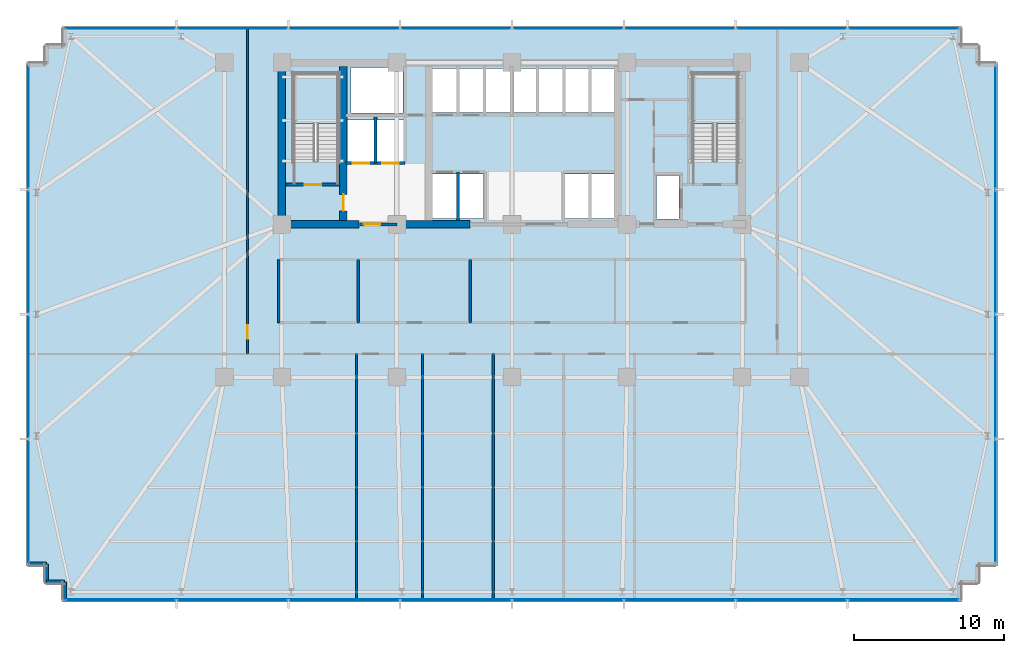
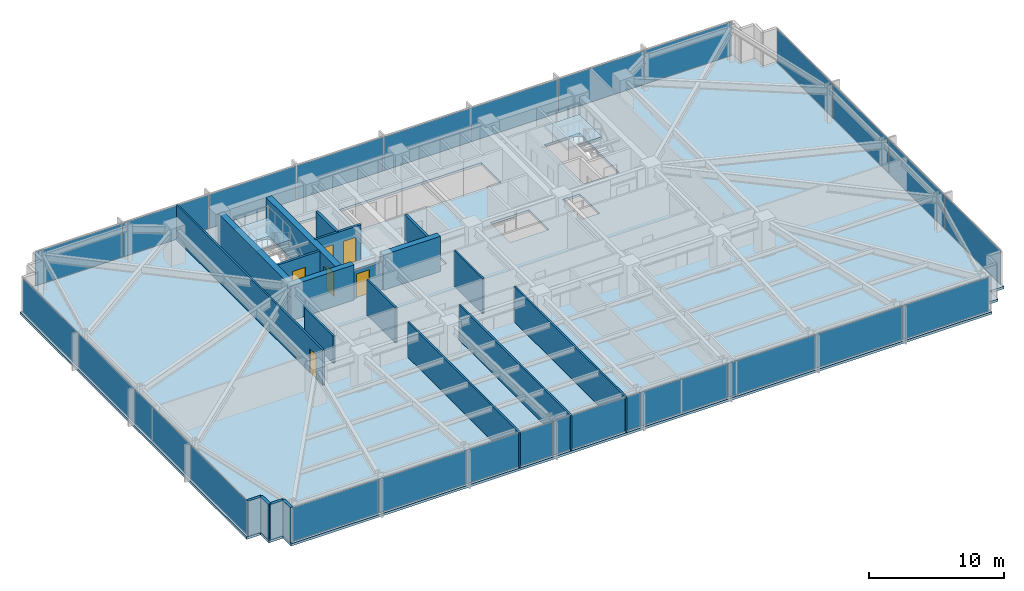
# One storey, part 24 of 33: 24 plates, 20 walls, 6 doors, 3 slabs, 6 openings, 6 elements without a shape of their own.
"""IFC4 building model written with IfcOpenShell, lengths in metres."""

from ifc_helpers import new_model, si_unit, direction, frame, frame_2d, origin, origin_2d, place, context, subcontext, project, spatial, polyline, rectangle, outline, extrude, material, layer, layer_set, type_object, element, fill, aggregate, save


model = new_model("IFC4")

# Units and contexts
model_context = context("Model", 3, precision=1e-05, world=origin(), true_north=direction((0.0, 1.0)))
body_context = subcontext(model_context, "Body", "Model", "MODEL_VIEW")
ifc_project = project(units=[si_unit("LENGTHUNIT", "METRE"), si_unit("AREAUNIT", "SQUARE_METRE"), si_unit("VOLUMEUNIT", "CUBIC_METRE"), si_unit("PLANEANGLEUNIT", "RADIAN"), si_unit("MASSUNIT", "GRAM", prefix="KILO")], contexts=[model_context])

# Site, building, storey
site_placement = place(None, origin())
site = spatial("IfcSite", under=ifc_project, at=site_placement, CompositionType="ELEMENT")
building_placement = place(site_placement, origin())
building = spatial("IfcBuilding", under=site, at=building_placement, Name="Yelkora Congress Tower", CompositionType="ELEMENT")
storey_placement = place(building_placement, frame((0.0, 0.0, 54.199951171875)))
storey = spatial("IfcBuildingStorey", under=building, at=storey_placement, Name="L13", CompositionType="ELEMENT", Elevation=54.199951171875)

# Curtain wall, plates
ifc_material_1 = material(Name="Anodised aluminium and insulated glass", Category="aluminium")
curtain_wall_type = type_object("IfcCurtainWallType", Name="CW-SYS-B1", PredefinedType="NOTDEFINED", material=ifc_material_1)
curtain_wall_1_placement = place(storey_placement, origin())
curtain_wall_1 = element("IfcCurtainWall", 1, at=curtain_wall_1_placement, inside=storey, type_object=curtain_wall_type, Name="L13 Unitised Curtain Wall 5", PredefinedType="NOTDEFINED")
ifc_material_2 = material(Name="Solar-control low-E glass unit B1", Category="glass")
ifc_layer_1 = layer(ifc_material_2, 0.0400390625)
ifc_layer_set_1 = layer_set([ifc_layer_1], Name="Solar-control low-E glass unit B1")
plate_type = type_object("IfcPlateType", Name="PLT-PN-B1", PredefinedType="CURTAIN_PANEL", material=ifc_layer_set_1)
plate_1_placement = place(storey_placement, frame((6.139892578125, 16.923828125, 0.06494140625), z_axis=(0.0, 0.0, 1.0), x_axis=(0.0, 1.0, 0.0)))
plate_1 = element("IfcPlate", 2, at=plate_1_placement, type_object=plate_type, Name="CW-B1 panel 1.1", PredefinedType="CURTAIN_PANEL", context=body_context, shape_type="SweptSolid", body=[
    extrude(rectangle(XDim=8.217529296875, YDim=0.0400390625, at=origin_2d()), origin(), (0.0, 0.0, 1.0), 3.050048828125),
])
plate_2_placement = place(storey_placement, frame((6.139892578125, 25.235107421875, 0.06494140625), z_axis=(0.0, 0.0, 1.0), x_axis=(0.0, 1.0, 0.0)))
plate_2 = element("IfcPlate", 3, at=plate_2_placement, type_object=plate_type, Name="CW-B1 panel 2.1", PredefinedType="CURTAIN_PANEL", context=body_context, shape_type="SweptSolid", body=[
    extrude(rectangle(XDim=8.2548828125, YDim=0.0400390625, at=origin_2d()), origin(), (0.0, 0.0, 1.0), 3.050048828125),
])
plate_3_placement = place(storey_placement, frame((6.139892578125, 33.56494140625, 0.06494140625), z_axis=(0.0, 0.0, 1.0), x_axis=(0.0, 1.0, 0.0)))
plate_3 = element("IfcPlate", 4, at=plate_3_placement, type_object=plate_type, Name="CW-B1 panel 3.1", PredefinedType="CURTAIN_PANEL", context=body_context, shape_type="SweptSolid", body=[
    extrude(rectangle(XDim=8.2548828125, YDim=0.0400390625, at=origin_2d()), origin(), (0.0, 0.0, 1.0), 3.050048828125),
])
plate_4_placement = place(storey_placement, frame((6.139892578125, 41.876220703125, 0.06494140625), z_axis=(0.0, 0.0, 1.0), x_axis=(0.0, 1.0, 0.0)))
plate_4 = element("IfcPlate", 5, at=plate_4_placement, type_object=plate_type, Name="CW-B1 panel 4.1", PredefinedType="CURTAIN_PANEL", context=body_context, shape_type="SweptSolid", body=[
    extrude(rectangle(XDim=8.217529296875, YDim=0.0400390625, at=origin_2d()), origin(), (0.0, 0.0, 1.0), 3.050048828125),
])
aggregate(curtain_wall_1, [plate_1, plate_2, plate_3, plate_4])

curtain_wall_2_placement = place(storey_placement, origin())
curtain_wall_2 = element("IfcCurtainWall", 6, at=curtain_wall_2_placement, inside=storey, type_object=curtain_wall_type, Name="L13 Unitised Curtain Wall 10", PredefinedType="NOTDEFINED")
plate_5_placement = place(storey_placement, frame((12.291259765625, 48.4599609375, 0.06494140625), z_axis=(0.0, 0.0, 1.0), x_axis=(1.0, 0.0, 0.0)))
plate_5 = element("IfcPlate", 7, at=plate_5_placement, type_object=plate_type, Name="CW-B1 panel 1.1", PredefinedType="CURTAIN_PANEL", context=body_context, shape_type="SweptSolid", body=[
    extrude(rectangle(XDim=7.3525390625, YDim=0.0400390625, at=origin_2d()), origin(), (0.0, 0.0, 1.0), 3.050048828125),
])
plate_6_placement = place(storey_placement, frame((19.737548828125, 48.4599609375, 0.06494140625), z_axis=(0.0, 0.0, 1.0), x_axis=(1.0, 0.0, 0.0)))
plate_6 = element("IfcPlate", 8, at=plate_6_placement, type_object=plate_type, Name="CW-B1 panel 2.1", PredefinedType="CURTAIN_PANEL", context=body_context, shape_type="SweptSolid", body=[
    extrude(rectangle(XDim=7.389892578125, YDim=0.0400390625, at=origin_2d()), origin(), (0.0, 0.0, 1.0), 3.050048828125),
])
plate_7_placement = place(storey_placement, frame((27.202392578125, 48.4599609375, 0.06494140625), z_axis=(0.0, 0.0, 1.0), x_axis=(1.0, 0.0, 0.0)))
plate_7 = element("IfcPlate", 9, at=plate_7_placement, type_object=plate_type, Name="CW-B1 panel 3.1", PredefinedType="CURTAIN_PANEL", context=body_context, shape_type="SweptSolid", body=[
    extrude(rectangle(XDim=7.389892578125, YDim=0.0400390625, at=origin_2d()), origin(), (0.0, 0.0, 1.0), 3.050048828125),
])
plate_8_placement = place(storey_placement, frame((34.66748046875, 48.4599609375, 0.06494140625), z_axis=(0.0, 0.0, 1.0), x_axis=(1.0, 0.0, 0.0)))
plate_8 = element("IfcPlate", 10, at=plate_8_placement, type_object=plate_type, Name="CW-B1 panel 4.1", PredefinedType="CURTAIN_PANEL", context=body_context, shape_type="SweptSolid", body=[
    extrude(rectangle(XDim=7.389892578125, YDim=0.0400390625, at=origin_2d()), origin(), (0.0, 0.0, 1.0), 3.050048828125),
])
plate_9_placement = place(storey_placement, frame((42.132568359375, 48.4599609375, 0.06494140625), z_axis=(0.0, 0.0, 1.0), x_axis=(1.0, 0.0, 0.0)))
plate_9 = element("IfcPlate", 11, at=plate_9_placement, type_object=plate_type, Name="CW-B1 panel 5.1", PredefinedType="CURTAIN_PANEL", context=body_context, shape_type="SweptSolid", body=[
    extrude(rectangle(XDim=7.389892578125, YDim=0.0400390625, at=origin_2d()), origin(), (0.0, 0.0, 1.0), 3.050048828125),
])
plate_10_placement = place(storey_placement, frame((49.597412109375, 48.4599609375, 0.06494140625), z_axis=(0.0, 0.0, 1.0), x_axis=(1.0, 0.0, 0.0)))
plate_10 = element("IfcPlate", 12, at=plate_10_placement, type_object=plate_type, Name="CW-B1 panel 6.1", PredefinedType="CURTAIN_PANEL", context=body_context, shape_type="SweptSolid", body=[
    extrude(rectangle(XDim=7.389892578125, YDim=0.0400390625, at=origin_2d()), origin(), (0.0, 0.0, 1.0), 3.050048828125),
])
plate_11_placement = place(storey_placement, frame((57.0625, 48.4599609375, 0.06494140625), z_axis=(0.0, 0.0, 1.0), x_axis=(1.0, 0.0, 0.0)))
plate_11 = element("IfcPlate", 13, at=plate_11_placement, type_object=plate_type, Name="CW-B1 panel 7.1", PredefinedType="CURTAIN_PANEL", context=body_context, shape_type="SweptSolid", body=[
    extrude(rectangle(XDim=7.389892578125, YDim=0.0400390625, at=origin_2d()), origin(), (0.0, 0.0, 1.0), 3.050048828125),
])
plate_12_placement = place(storey_placement, frame((64.5087890625, 48.4599609375, 0.06494140625), z_axis=(0.0, 0.0, 1.0), x_axis=(1.0, 0.0, 0.0)))
plate_12 = element("IfcPlate", 14, at=plate_12_placement, type_object=plate_type, Name="CW-B1 panel 8.1", PredefinedType="CURTAIN_PANEL", context=body_context, shape_type="SweptSolid", body=[
    extrude(rectangle(XDim=7.3525390625, YDim=0.0400390625, at=origin_2d()), origin(), (0.0, 0.0, 1.0), 3.050048828125),
])
aggregate(curtain_wall_2, [plate_5, plate_6, plate_7, plate_8, plate_9, plate_10, plate_11, plate_12])

curtain_wall_3_placement = place(storey_placement, origin())
curtain_wall_3 = element("IfcCurtainWall", 15, at=curtain_wall_3_placement, inside=storey, type_object=curtain_wall_type, Name="L13 Unitised Curtain Wall 15", PredefinedType="NOTDEFINED")
plate_13_placement = place(storey_placement, frame((70.659912109375, 41.876220703125, 0.06494140625), z_axis=(0.0, 0.0, 1.0), x_axis=(0.0, -1.0, 0.0)))
plate_13 = element("IfcPlate", 16, at=plate_13_placement, type_object=plate_type, Name="CW-B1 panel 1.1", PredefinedType="CURTAIN_PANEL", context=body_context, shape_type="SweptSolid", body=[
    extrude(rectangle(XDim=8.217529296875, YDim=0.0400390625, at=origin_2d()), origin(), (0.0, 0.0, 1.0), 3.050048828125),
])
plate_14_placement = place(storey_placement, frame((70.659912109375, 33.56494140625, 0.06494140625), z_axis=(0.0, 0.0, 1.0), x_axis=(0.0, -1.0, 0.0)))
plate_14 = element("IfcPlate", 17, at=plate_14_placement, type_object=plate_type, Name="CW-B1 panel 2.1", PredefinedType="CURTAIN_PANEL", context=body_context, shape_type="SweptSolid", body=[
    extrude(rectangle(XDim=8.2548828125, YDim=0.0400390625, at=origin_2d()), origin(), (0.0, 0.0, 1.0), 3.050048828125),
])
plate_15_placement = place(storey_placement, frame((70.659912109375, 25.235107421875, 0.06494140625), z_axis=(0.0, 0.0, 1.0), x_axis=(0.0, -1.0, 0.0)))
plate_15 = element("IfcPlate", 18, at=plate_15_placement, type_object=plate_type, Name="CW-B1 panel 3.1", PredefinedType="CURTAIN_PANEL", context=body_context, shape_type="SweptSolid", body=[
    extrude(rectangle(XDim=8.2548828125, YDim=0.0400390625, at=origin_2d()), origin(), (0.0, 0.0, 1.0), 3.050048828125),
])
plate_16_placement = place(storey_placement, frame((70.659912109375, 16.923828125, 0.06494140625), z_axis=(0.0, 0.0, 1.0), x_axis=(0.0, -1.0, 0.0)))
plate_16 = element("IfcPlate", 19, at=plate_16_placement, type_object=plate_type, Name="CW-B1 panel 4.1", PredefinedType="CURTAIN_PANEL", context=body_context, shape_type="SweptSolid", body=[
    extrude(rectangle(XDim=8.217529296875, YDim=0.0400390625, at=origin_2d()), origin(), (0.0, 0.0, 1.0), 3.050048828125),
])
aggregate(curtain_wall_3, [plate_13, plate_14, plate_15, plate_16])

curtain_wall_4_placement = place(storey_placement, origin())
curtain_wall_4 = element("IfcCurtainWall", 20, at=curtain_wall_4_placement, inside=storey, type_object=curtain_wall_type, Name="L13 Unitised Curtain Wall 20", PredefinedType="NOTDEFINED")
plate_17_placement = place(storey_placement, frame((64.5087890625, 10.340087890625, 0.06494140625), z_axis=(0.0, 0.0, 1.0), x_axis=(-1.0, 0.0, 0.0)))
plate_17 = element("IfcPlate", 21, at=plate_17_placement, type_object=plate_type, Name="CW-B1 panel 1.1", PredefinedType="CURTAIN_PANEL", context=body_context, shape_type="SweptSolid", body=[
    extrude(rectangle(XDim=7.3525390625, YDim=0.0400390625, at=origin_2d()), origin(), (0.0, 0.0, 1.0), 3.050048828125),
])
plate_18_placement = place(storey_placement, frame((57.0625, 10.340087890625, 0.06494140625), z_axis=(0.0, 0.0, 1.0), x_axis=(-1.0, 0.0, 0.0)))
plate_18 = element("IfcPlate", 22, at=plate_18_placement, type_object=plate_type, Name="CW-B1 panel 2.1", PredefinedType="CURTAIN_PANEL", context=body_context, shape_type="SweptSolid", body=[
    extrude(rectangle(XDim=7.389892578125, YDim=0.0400390625, at=origin_2d()), origin(), (0.0, 0.0, 1.0), 3.050048828125),
])
plate_19_placement = place(storey_placement, frame((49.597412109375, 10.340087890625, 0.06494140625), z_axis=(0.0, 0.0, 1.0), x_axis=(-1.0, 0.0, 0.0)))
plate_19 = element("IfcPlate", 23, at=plate_19_placement, type_object=plate_type, Name="CW-B1 panel 3.1", PredefinedType="CURTAIN_PANEL", context=body_context, shape_type="SweptSolid", body=[
    extrude(rectangle(XDim=7.389892578125, YDim=0.0400390625, at=origin_2d()), origin(), (0.0, 0.0, 1.0), 3.050048828125),
])
plate_20_placement = place(storey_placement, frame((42.132568359375, 10.340087890625, 0.06494140625), z_axis=(0.0, 0.0, 1.0), x_axis=(-1.0, 0.0, 0.0)))
plate_20 = element("IfcPlate", 24, at=plate_20_placement, type_object=plate_type, Name="CW-B1 panel 4.1", PredefinedType="CURTAIN_PANEL", context=body_context, shape_type="SweptSolid", body=[
    extrude(rectangle(XDim=7.389892578125, YDim=0.0400390625, at=origin_2d()), origin(), (0.0, 0.0, 1.0), 3.050048828125),
])
plate_21_placement = place(storey_placement, frame((34.66748046875, 10.340087890625, 0.06494140625), z_axis=(0.0, 0.0, 1.0), x_axis=(-1.0, 0.0, 0.0)))
plate_21 = element("IfcPlate", 25, at=plate_21_placement, type_object=plate_type, Name="CW-B1 panel 5.1", PredefinedType="CURTAIN_PANEL", context=body_context, shape_type="SweptSolid", body=[
    extrude(rectangle(XDim=7.389892578125, YDim=0.0400390625, at=origin_2d()), origin(), (0.0, 0.0, 1.0), 3.050048828125),
])
plate_22_placement = place(storey_placement, frame((27.202392578125, 10.340087890625, 0.06494140625), z_axis=(0.0, 0.0, 1.0), x_axis=(-1.0, 0.0, 0.0)))
plate_22 = element("IfcPlate", 26, at=plate_22_placement, type_object=plate_type, Name="CW-B1 panel 6.1", PredefinedType="CURTAIN_PANEL", context=body_context, shape_type="SweptSolid", body=[
    extrude(rectangle(XDim=7.389892578125, YDim=0.0400390625, at=origin_2d()), origin(), (0.0, 0.0, 1.0), 3.050048828125),
])
plate_23_placement = place(storey_placement, frame((19.737548828125, 10.340087890625, 0.06494140625), z_axis=(0.0, 0.0, 1.0), x_axis=(-1.0, 0.0, 0.0)))
plate_23 = element("IfcPlate", 27, at=plate_23_placement, type_object=plate_type, Name="CW-B1 panel 7.1", PredefinedType="CURTAIN_PANEL", context=body_context, shape_type="SweptSolid", body=[
    extrude(rectangle(XDim=7.389892578125, YDim=0.0400390625, at=origin_2d()), origin(), (0.0, 0.0, 1.0), 3.050048828125),
])
plate_24_placement = place(storey_placement, frame((12.291259765625, 10.340087890625, 0.06494140625), z_axis=(0.0, 0.0, 1.0), x_axis=(-1.0, 0.0, 0.0)))
plate_24 = element("IfcPlate", 28, at=plate_24_placement, type_object=plate_type, Name="CW-B1 panel 8.1", PredefinedType="CURTAIN_PANEL", context=body_context, shape_type="SweptSolid", body=[
    extrude(rectangle(XDim=7.3525390625, YDim=0.0400390625, at=origin_2d()), origin(), (0.0, 0.0, 1.0), 3.050048828125),
])
aggregate(curtain_wall_4, [plate_17, plate_18, plate_19, plate_20, plate_21, plate_22, plate_23, plate_24])

# Stair, slab
ifc_material_3 = material(Name="Concrete C40/50", Category="concrete")
stair_type = type_object("IfcStairType", Name="STAIR-HT-1420-R20-170", PredefinedType="HALF_TURN_STAIR", material=ifc_material_3)
stair_1_placement = place(storey_placement, origin())
stair_1 = element("IfcStair", 29, at=stair_1_placement, inside=storey, type_object=stair_type, Name="West Core Protected Exit Stair ST-01 (L13)", PredefinedType="HALF_TURN_STAIR")
ifc_layer_2 = layer(ifc_material_3, 0.219970703125)
ifc_layer_set_2 = layer_set([ifc_layer_2], Name="Concrete C40/50")
slab_type_1 = type_object("IfcSlabType", Name="SLAB-LANDING-220", PredefinedType="LANDING", material=ifc_layer_set_2)
slab_1_placement = place(storey_placement, frame((0.0, 0.0, 1.47998046875)))
slab_1 = element("IfcSlab", 30, at=slab_1_placement, type_object=slab_type_1, Name="ST-01 L13 Half Landing 1", PredefinedType="LANDING", context=body_context, shape_type="SweptSolid", body=[
    extrude(outline(polyline([(26.820068359375, 42.1201171875), (26.820068359375, 45.469970703125), (23.820068359375, 45.469970703125), (23.820068359375, 42.1201171875), (26.820068359375, 42.1201171875)])), origin(), (0.0, 0.0, 1.0), 0.219970703125),
])
aggregate(stair_1, [slab_1])

stair_2_placement = place(storey_placement, origin())
stair_2 = element("IfcStair", 31, at=stair_2_placement, inside=storey, type_object=stair_type, Name="East Core Protected Exit Stair ST-02 (L13)", PredefinedType="HALF_TURN_STAIR")
slab_2_placement = place(storey_placement, frame((0.0, 0.0, 1.47998046875)))
slab_2 = element("IfcSlab", 32, at=slab_2_placement, type_object=slab_type_1, Name="ST-02 L13 Half Landing 1", PredefinedType="LANDING", context=body_context, shape_type="SweptSolid", body=[
    extrude(outline(polyline([(53.4599609375, 42.1201171875), (53.4599609375, 45.469970703125), (50.4599609375, 45.469970703125), (50.4599609375, 42.1201171875), (53.4599609375, 42.1201171875)])), origin(), (0.0, 0.0, 1.0), 0.219970703125),
])
aggregate(stair_2, [slab_2])

# Slab
ifc_layer_3 = layer(ifc_material_3, 0.219970703125)
ifc_layer_set_3 = layer_set([ifc_layer_3], Name="Concrete C40/50")
slab_type_2 = type_object("IfcSlabType", Name="SLAB-TWR-220", PredefinedType="FLOOR", material=ifc_layer_set_3)
slab_3_placement = place(storey_placement, frame((0.0, 0.0, -0.219970703125)))
element("IfcSlab", 33, at=slab_3_placement, inside=storey, type_object=slab_type_2, Name="L13 Structural Floor Slab", PredefinedType="FLOOR", context=body_context, shape_type="SweptSolid", body=[
    extrude(outline(polyline([(8.39990234375, 10.199951171875), (68.39990234375, 10.199951171875), (68.39990234375, 11.39990234375), (69.60009765625, 11.39990234375), (69.60009765625, 12.60009765625), (70.800048828125, 12.60009765625), (70.800048828125, 46.199951171875), (69.60009765625, 46.199951171875), (69.60009765625, 47.39990234375), (68.39990234375, 47.39990234375), (68.39990234375, 48.60009765625), (8.39990234375, 48.60009765625), (8.39990234375, 47.39990234375), (7.199951171875, 47.39990234375), (7.199951171875, 46.199951171875), (6.0, 46.199951171875), (6.0, 12.60009765625), (7.199951171875, 12.60009765625), (7.199951171875, 11.39990234375), (8.39990234375, 11.39990234375), (8.39990234375, 10.199951171875)]), holes=[polyline([(23.820068359375, 39.6298828125), (26.820068359375, 39.6298828125), (26.820068359375, 45.469970703125), (23.820068359375, 45.469970703125), (23.820068359375, 39.6298828125)]), polyline([(50.4599609375, 39.6298828125), (53.4599609375, 39.6298828125), (53.4599609375, 45.469970703125), (50.4599609375, 45.469970703125), (50.4599609375, 39.6298828125)]), polyline([(48.050048828125, 35.75), (49.550048828125, 35.75), (49.550048828125, 38.64990234375), (48.050048828125, 38.64990234375), (48.050048828125, 35.75)]), polyline([(41.949951171875, 35.800048828125), (45.25, 35.800048828125), (45.25, 38.75), (41.949951171875, 38.75), (41.949951171875, 35.800048828125)]), polyline([(33.10009765625, 42.85009765625), (45.25, 42.85009765625), (45.25, 45.800048828125), (33.10009765625, 45.800048828125), (33.10009765625, 42.85009765625)]), polyline([(33.10009765625, 35.800048828125), (36.5, 35.800048828125), (36.5, 38.75), (33.10009765625, 38.75), (33.10009765625, 35.800048828125)]), polyline([(27.419921875, 39.60009765625), (31.179931640625, 39.60009765625), (31.179931640625, 42.35009765625), (27.419921875, 42.35009765625), (27.419921875, 39.60009765625)]), polyline([(27.64990234375, 42.820068359375), (31.1201171875, 42.820068359375), (31.1201171875, 45.8798828125), (27.64990234375, 45.8798828125), (27.64990234375, 42.820068359375)])]), origin(), (0.0, 0.0, 1.0), 0.219970703125),
])

# Walls
ifc_material_4 = material(Name="Concrete C60/75", Category="concrete")
ifc_layer_4 = layer(ifc_material_4, 0.5)
ifc_layer_set_4 = layer_set([ifc_layer_4], Name="Concrete C60/75")
wall_type_1 = type_object("IfcWallType", Name="WALL-CORE-INT-500", PredefinedType="SHEAR", material=ifc_layer_set_4)
wall_1_placement = place(storey_placement, frame((22.7900390625, 35.39990234375, 0.0), z_axis=(0.0, 0.0, 1.0), x_axis=(1.0, 0.0, 0.0)))
element("IfcWall", 34, at=wall_1_placement, inside=storey, type_object=wall_type_1, Name="L13 Rear Core South-West Shear Wall", PredefinedType="SHEAR", context=body_context, shape_type="SweptSolid", body=[
    extrude(rectangle(XDim=5.409912109375, YDim=0.5, at=frame_2d((2.705078125, 0.0))), origin(), (0.0, 0.0, 1.0), 3.179931640625),
])
wall_2_placement = place(storey_placement, frame((30.719970703125, 35.39990234375, 0.0), z_axis=(0.0, 0.0, 1.0), x_axis=(1.0, 0.0, 0.0)))
element("IfcWall", 35, at=wall_2_placement, inside=storey, type_object=wall_type_1, Name="L13 Rear Core South-Center Shear Pier", PredefinedType="SHEAR", context=body_context, shape_type="SweptSolid", body=[
    extrude(rectangle(XDim=4.880126953125, YDim=0.5, at=frame_2d((2.43994140625, 0.0))), origin(), (0.0, 0.0, 1.0), 3.179931640625),
])
wall_3_placement = place(storey_placement, frame((23.0400390625, 35.64990234375, 0.0), z_axis=(0.0, 0.0, 1.0), x_axis=(0.0, 1.0, 0.0)))
element("IfcWall", 36, at=wall_3_placement, inside=storey, type_object=wall_type_1, Name="L13 Rear Core Cross Shear Wall W", PredefinedType="SHEAR", context=body_context, shape_type="SweptSolid", body=[
    extrude(rectangle(XDim=10.300048828125, YDim=0.5, at=frame_2d((5.14990234375, 0.0))), origin(), (0.0, 0.0, 1.0), 3.179931640625),
])

# Wall, opening, door
wall_4_placement = place(storey_placement, frame((27.14990234375, 35.64990234375, 0.0), z_axis=(0.0, 0.0, 1.0), x_axis=(0.0, 1.0, 0.0)))
wall_4 = element("IfcWall", 37, at=wall_4_placement, inside=storey, type_object=wall_type_1, Name="L13 Rear Core Cross Shear Wall C1", PredefinedType="SHEAR", context=body_context, shape_type="SweptSolid", body=[
    extrude(rectangle(XDim=10.300048828125, YDim=0.5, at=frame_2d((5.14990234375, 0.0))), origin(), (0.0, 0.0, 1.0), 3.179931640625),
])
opening_1_placement = place(wall_4_placement, frame((0.64990234375, 0.0, 0.0)))
opening_1 = element("IfcOpeningElement", 38, at=opening_1_placement, cuts=wall_4, Name="Opening DR-110F9", PredefinedType="OPENING", context=body_context, shape_type="SweptSolid", body=[
    extrude(rectangle(XDim=1.10009765625, YDim=2.14990234375, at=frame_2d((0.550048828125, 1.074951171875))), frame((0.0, 0.260009765625, 0.0), z_axis=(0.0, -1.0, 0.0), x_axis=(1.0, 0.0, 0.0)), (0.0, 0.0, 1.0), 0.52001953125),
])
ifc_material_5 = material(Name="Galvanised steel fire door leaf", Category="steel")
door_type_1 = type_object("IfcDoorType", Name="DOOR-FD90-1100", OperationType="NOTDEFINED", PredefinedType="DOOR", material=ifc_material_5)
door_1_placement = place(opening_1_placement, origin())
door_1 = element("IfcDoor", 39, at=door_1_placement, inside=storey, type_object=door_type_1, Name="L13 Firefighting Stair Transfer Door", OperationType="SINGLE_SWING_LEFT", OverallHeight=2.14990234375, OverallWidth=1.10009765625, PredefinedType="DOOR", context=body_context, shape_type="SweptSolid", body=[
    extrude(rectangle(XDim=1.10009765625, YDim=2.14990234375, at=frame_2d((0.550048828125, 1.074951171875))), frame((0.0, 0.02490234375, 0.0), z_axis=(0.0, -1.0, 0.0), x_axis=(1.0, 0.0, 0.0)), (0.0, 0.0, 1.0), 0.050048828125),
])
fill(opening_1, door_1)

# Walls
ifc_layer_5 = layer(ifc_material_3, 0.239990234375)
ifc_layer_set_5 = layer_set([ifc_layer_5], Name="Concrete C40/50")
wall_type_2 = type_object("IfcWallType", Name="WALL-EXT-LIMESTONE-240", PredefinedType="SOLIDWALL", material=ifc_layer_set_5)
for number, where, z_axis, x_axis, name in (
    (40, (8.5400390625, 10.340087890625, 0.0), (0.0, 0.0, 1.0), (0.0, 1.0, 0.0), "L13 Serrated Corner Limestone Pier 1"),
    (41, (8.5400390625, 11.5400390625, 0.0), (0.0, 0.0, 1.0), (-1.0, 0.0, 0.0), "L13 Serrated Corner Limestone Pier 2"),
    (42, (7.340087890625, 11.5400390625, 0.0), (0.0, 0.0, 1.0), (0.0, 1.0, 0.0), "L13 Serrated Corner Limestone Pier 3"),
):
    element("IfcWall", number, at=place(storey_placement, frame(where, z_axis=z_axis, x_axis=x_axis)), inside=storey, type_object=wall_type_2, Name=name, PredefinedType="SOLIDWALL", context=body_context, shape_type="SweptSolid", body=[
        extrude(rectangle(XDim=1.199951171875, YDim=0.239990234375, at=frame_2d((0.60009765625, 0.0))), origin(), (0.0, 0.0, 1.0), 3.179931640625),
    ])
wall_5_placement = place(storey_placement, frame((7.340087890625, 12.739990234375, 0.0), z_axis=(0.0, 0.0, 1.0), x_axis=(-1.0, 0.0, 0.0)))
element("IfcWall", 43, at=wall_5_placement, inside=storey, type_object=wall_type_2, Name="L13 Serrated Corner Limestone Pier 4", PredefinedType="SOLIDWALL", context=body_context, shape_type="SweptSolid", body=[
    extrude(rectangle(XDim=1.2001953125, YDim=0.239990234375, at=frame_2d((0.60009765625, 0.0))), origin(), (0.0, 0.0, 1.0), 3.179931640625),
])
ifc_material_6 = material(Name="Acoustic metal-stud gypsum partition", Category="gypsum")
ifc_layer_6 = layer(ifc_material_6, 0.14990234375)
ifc_layer_set_6 = layer_set([ifc_layer_6], Name="Acoustic metal-stud gypsum partition")
wall_type_3 = type_object("IfcWallType", Name="WALL-INT-150-NR", PredefinedType="PARTITIONING", material=ifc_layer_set_6)
for number, where, z_axis, x_axis, name in (
    (44, (28.02392578125, 10.280029296875, 0.0), (0.0, 0.0, 1.0), (0.0, 1.0, 0.0), "L13 Partition Wall 31"),
    (45, (32.427001953125, 10.280029296875, 0.0), (0.0, 0.0, 1.0), (0.0, 1.0, 0.0), "L13 Partition Wall 32"),
    (46, (37.14501953125, 10.280029296875, 0.0), (0.0, 0.0, 1.0), (0.0, 1.0, 0.0), "L13 Partition Wall 33"),
):
    element("IfcWall", number, at=place(storey_placement, frame(where, z_axis=z_axis, x_axis=x_axis)), inside=storey, type_object=wall_type_3, Name=name, PredefinedType="PARTITIONING", context=body_context, shape_type="SweptSolid", body=[
        extrude(rectangle(XDim=16.489990234375, YDim=0.14990234375, at=frame_2d((8.2451171875, 0.0))), origin(), (0.0, 0.0, 1.0), 3.179931640625),
    ])

# Wall, opening, door
wall_6_placement = place(storey_placement, frame((20.75, 26.75, 0.0), z_axis=(0.0, 0.0, 1.0), x_axis=(0.0, 1.0, 0.0)))
wall_6 = element("IfcWall", 47, at=wall_6_placement, inside=storey, type_object=wall_type_3, Name="L13 Partition Wall 37", PredefinedType="PARTITIONING", context=body_context, shape_type="SweptSolid", body=[
    extrude(rectangle(XDim=21.77001953125, YDim=0.14990234375, at=frame_2d((10.885009765625, 0.0))), origin(), (0.0, 0.0, 1.0), 3.179931640625),
])
opening_2_placement = place(wall_6_placement, frame((1.030029296875, 0.0, 0.0)))
opening_2 = element("IfcOpeningElement", 48, at=opening_2_placement, cuts=wall_6, Name="Opening DR-090N", PredefinedType="OPENING", context=body_context, shape_type="SweptSolid", body=[
    extrude(rectangle(XDim=0.89990234375, YDim=2.14990234375, at=frame_2d((0.449951171875, 1.074951171875))), frame((0.0, 0.0849609375, 0.0), z_axis=(0.0, -1.0, 0.0), x_axis=(1.0, 0.0, 0.0)), (0.0, 0.0, 1.0), 0.169921875),
])
ifc_material_7 = material(Name="Moisture-resistant laminate door leaf", Category="wood")
door_type_2 = type_object("IfcDoorType", Name="DOOR-INT-900", OperationType="NOTDEFINED", PredefinedType="DOOR", material=ifc_material_7)
door_2_placement = place(opening_2_placement, origin())
door_2 = element("IfcDoor", 49, at=door_2_placement, inside=storey, type_object=door_type_2, Name="L13 W Wing Door", OperationType="SINGLE_SWING_LEFT", OverallHeight=2.14990234375, OverallWidth=0.89990234375, PredefinedType="DOOR", context=body_context, shape_type="SweptSolid", body=[
    extrude(rectangle(XDim=0.89990234375, YDim=2.14990234375, at=frame_2d((0.449951171875, 1.074951171875))), frame((0.0, 0.02490234375, 0.0), z_axis=(0.0, -1.0, 0.0), x_axis=(1.0, 0.0, 0.0)), (0.0, 0.0, 1.0), 0.050048828125),
])
fill(opening_2, door_2)

# Walls
wall_7_placement = place(storey_placement, frame((22.830078125, 28.830078125, 0.0), z_axis=(0.0, 0.0, 1.0), x_axis=(0.0, 1.0, 0.0)))
element("IfcWall", 50, at=wall_7_placement, inside=storey, type_object=wall_type_3, Name="L13 Partition Wall 39", PredefinedType="PARTITIONING", context=body_context, shape_type="SweptSolid", body=[
    extrude(rectangle(XDim=4.219970703125, YDim=0.14990234375, at=frame_2d((2.10986328125, 0.0))), origin(), (0.0, 0.0, 1.0), 2.47509765625),
])
for number, where, z_axis, x_axis, name in (
    (51, (28.138916015625, 28.830078125, 0.0), (0.0, 0.0, 1.0), (0.0, 1.0, 0.0), "L13 Partition Wall 42"),
    (52, (35.6201171875, 28.830078125, 0.0), (0.0, 0.0, 1.0), (0.0, 1.0, 0.0), "L13 Partition Wall 43"),
):
    element("IfcWall", number, at=place(storey_placement, frame(where, z_axis=z_axis, x_axis=x_axis)), inside=storey, type_object=wall_type_3, Name=name, PredefinedType="PARTITIONING", context=body_context, shape_type="SweptSolid", body=[
        extrude(rectangle(XDim=4.219970703125, YDim=0.14990234375, at=frame_2d((2.10986328125, 0.0))), origin(), (0.0, 0.0, 1.0), 3.179931640625),
    ])

# Wall, opening, door
ifc_material_8 = material(Name="Autoclaved aerated concrete blockwork", Category="masonry")
ifc_layer_7 = layer(ifc_material_8, 0.199951171875)
ifc_layer_set_7 = layer_set([ifc_layer_7], Name="Autoclaved aerated concrete blockwork")
wall_type_4 = type_object("IfcWallType", Name="WALL-INT-200-R120", PredefinedType="PARTITIONING", material=ifc_layer_set_7)
wall_8_placement = place(storey_placement, frame((23.300048828125, 38.050048828125, 0.0), z_axis=(0.0, 0.0, 1.0), x_axis=(1.0, 0.0, 0.0)))
wall_8 = element("IfcWall", 53, at=wall_8_placement, inside=storey, type_object=wall_type_4, Name="L13 Stair ST-01 Enclosure Wall", PredefinedType="PARTITIONING", context=body_context, shape_type="SweptSolid", body=[
    extrude(rectangle(XDim=3.619873046875, YDim=0.199951171875, at=frame_2d((1.81005859375, 0.0))), origin(), (0.0, 0.0, 1.0), 3.179931640625),
])
opening_3_placement = place(wall_8_placement, frame((1.260009765625, 0.0, 0.0)))
opening_3 = element("IfcOpeningElement", 54, at=opening_3_placement, cuts=wall_8, Name="Opening DR-110F9", PredefinedType="OPENING", context=body_context, shape_type="SweptSolid", body=[
    extrude(rectangle(XDim=1.10009765625, YDim=2.14990234375, at=frame_2d((0.550048828125, 1.074951171875))), frame((0.0, 0.10986328125, 0.0), z_axis=(0.0, -1.0, 0.0), x_axis=(1.0, 0.0, 0.0)), (0.0, 0.0, 1.0), 0.219970703125),
])
door_3_placement = place(opening_3_placement, origin())
door_3 = element("IfcDoor", 55, at=door_3_placement, inside=storey, type_object=door_type_1, Name="L13 Stair ST-01 Entry Door", OperationType="SINGLE_SWING_LEFT", OverallHeight=2.14990234375, OverallWidth=1.10009765625, PredefinedType="DOOR", context=body_context, shape_type="SweptSolid", body=[
    extrude(rectangle(XDim=1.10009765625, YDim=2.14990234375, at=frame_2d((0.550048828125, 1.074951171875))), frame((0.0, 0.02490234375, 0.0), z_axis=(0.0, -1.0, 0.0), x_axis=(1.0, 0.0, 0.0)), (0.0, 0.0, 1.0), 0.050048828125),
])
fill(opening_3, door_3)

wall_9_placement = place(storey_placement, frame((28.219970703125, 35.39990234375, 0.0), z_axis=(0.0, 0.0, 1.0), x_axis=(1.0, 0.0, 0.0)))
wall_9 = element("IfcWall", 56, at=wall_9_placement, inside=storey, type_object=wall_type_4, Name="L13 Firefighting Lobby South Wall", PredefinedType="PARTITIONING", context=body_context, shape_type="SweptSolid", body=[
    extrude(rectangle(XDim=2.5, YDim=0.199951171875, at=frame_2d((1.25, 0.0))), origin(), (0.0, 0.0, 1.0), 2.47509765625),
])
opening_4_placement = place(wall_9_placement, frame((0.300048828125, 0.0, 0.0)))
opening_4 = element("IfcOpeningElement", 57, at=opening_4_placement, cuts=wall_9, Name="Opening DR-110F9", PredefinedType="OPENING", context=body_context, shape_type="SweptSolid", body=[
    extrude(rectangle(XDim=1.10009765625, YDim=2.14990234375, at=frame_2d((0.550048828125, 1.074951171875))), frame((0.0, 0.10986328125, 0.0), z_axis=(0.0, -1.0, 0.0), x_axis=(1.0, 0.0, 0.0)), (0.0, 0.0, 1.0), 0.219970703125),
])
door_4_placement = place(opening_4_placement, origin())
door_4 = element("IfcDoor", 58, at=door_4_placement, inside=storey, type_object=door_type_1, Name="L13 Firefighting Lobby Corridor Door", OperationType="SINGLE_SWING_RIGHT", OverallHeight=2.14990234375, OverallWidth=1.10009765625, PredefinedType="DOOR", context=body_context, shape_type="SweptSolid", body=[
    extrude(rectangle(XDim=1.10009765625, YDim=2.14990234375, at=frame_2d((0.550048828125, 1.074951171875))), frame((0.0, 0.02490234375, 0.0), z_axis=(0.0, -1.0, 0.0), x_axis=(1.0, 0.0, 0.0)), (0.0, 0.0, 1.0), 0.050048828125),
])
fill(opening_4, door_4)

# Wall, openings, doors
wall_10_placement = place(storey_placement, frame((27.320068359375, 39.47998046875, 0.0), z_axis=(0.0, 0.0, 1.0), x_axis=(1.0, 0.0, 0.0)))
wall_10 = element("IfcWall", 59, at=wall_10_placement, inside=storey, type_object=wall_type_4, Name="L13 Firefighting Lift Front Wall", PredefinedType="PARTITIONING", context=body_context, shape_type="SweptSolid", body=[
    extrude(rectangle(XDim=3.93994140625, YDim=0.199951171875, at=frame_2d((1.969970703125, 0.0))), origin(), (0.0, 0.0, 1.0), 3.179931640625),
])
opening_5_placement = place(wall_10_placement, frame((0.449951171875, 0.0, 0.0)))
opening_5 = element("IfcOpeningElement", 60, at=opening_5_placement, cuts=wall_10, Name="Opening LD-FF11", PredefinedType="OPENING", context=body_context, shape_type="SweptSolid", body=[
    extrude(rectangle(XDim=1.10009765625, YDim=2.199951171875, at=frame_2d((0.550048828125, 1.10009765625))), frame((0.0, 0.10986328125, 0.0), z_axis=(0.0, -1.0, 0.0), x_axis=(1.0, 0.0, 0.0)), (0.0, 0.0, 1.0), 0.219970703125),
])
opening_6_placement = place(wall_10_placement, frame((2.409912109375, 0.0, 0.0)))
opening_6 = element("IfcOpeningElement", 61, at=opening_6_placement, cuts=wall_10, Name="Opening LD-FF11", PredefinedType="OPENING", context=body_context, shape_type="SweptSolid", body=[
    extrude(rectangle(XDim=1.10009765625, YDim=2.199951171875, at=frame_2d((0.550048828125, 1.10009765625))), frame((0.0, 0.10986328125, 0.0), z_axis=(0.0, -1.0, 0.0), x_axis=(1.0, 0.0, 0.0)), (0.0, 0.0, 1.0), 0.219970703125),
])
ifc_material_9 = material(Name="Brushed stainless steel 316L landing door", Category="steel")
door_type_3 = type_object("IfcDoorType", Name="DOOR-LIFT-FF-1100", OperationType="DOUBLE_DOOR_SLIDING", PredefinedType="DOOR", material=ifc_material_9)
door_5_placement = place(opening_5_placement, origin())
door_5 = element("IfcDoor", 62, at=door_5_placement, inside=storey, type_object=door_type_3, Name="Lift Landing Door LF-FF1 L13", OperationType="DOUBLE_DOOR_SLIDING", OverallHeight=2.199951171875, OverallWidth=1.10009765625, PredefinedType="DOOR", context=body_context, shape_type="SweptSolid", body=[
    extrude(rectangle(XDim=1.10009765625, YDim=2.199951171875, at=frame_2d((0.550048828125, 1.10009765625))), frame((0.0, 0.02490234375, 0.0), z_axis=(0.0, -1.0, 0.0), x_axis=(1.0, 0.0, 0.0)), (0.0, 0.0, 1.0), 0.050048828125),
])
fill(opening_5, door_5)
door_6_placement = place(opening_6_placement, origin())
door_6 = element("IfcDoor", 63, at=door_6_placement, inside=storey, type_object=door_type_3, Name="Lift Landing Door LF-FF2 L13", OperationType="DOUBLE_DOOR_SLIDING", OverallHeight=2.199951171875, OverallWidth=1.10009765625, PredefinedType="DOOR", context=body_context, shape_type="SweptSolid", body=[
    extrude(rectangle(XDim=1.10009765625, YDim=2.199951171875, at=frame_2d((0.550048828125, 1.10009765625))), frame((0.0, 0.02490234375, 0.0), z_axis=(0.0, -1.0, 0.0), x_axis=(1.0, 0.0, 0.0)), (0.0, 0.0, 1.0), 0.050048828125),
])
fill(opening_6, door_6)

# Walls
wall_11_placement = place(storey_placement, frame((29.300048828125, 39.47998046875, 0.0), z_axis=(0.0, 0.0, 1.0), x_axis=(0.0, 1.0, 0.0)))
element("IfcWall", 64, at=wall_11_placement, inside=storey, type_object=wall_type_4, Name="L13 Partition Wall 4", PredefinedType="PARTITIONING", context=body_context, shape_type="SweptSolid", body=[
    extrude(rectangle(XDim=3.070068359375, YDim=0.199951171875, at=frame_2d((1.53515625, 0.0))), origin(), (0.0, 0.0, 1.0), 3.179931640625),
])
wall_12_placement = place(storey_placement, frame((34.800048828125, 35.64990234375, 0.0), z_axis=(0.0, 0.0, 1.0), x_axis=(0.0, 1.0, 0.0)))
element("IfcWall", 65, at=wall_12_placement, inside=storey, type_object=wall_type_4, Name="L13 Partition Wall 13", PredefinedType="PARTITIONING", context=body_context, shape_type="SweptSolid", body=[
    extrude(rectangle(XDim=3.25, YDim=0.199951171875, at=frame_2d((1.625, 0.0))), origin(), (0.0, 0.0, 1.0), 3.179931640625),
])

save(model, "model.ifc")
